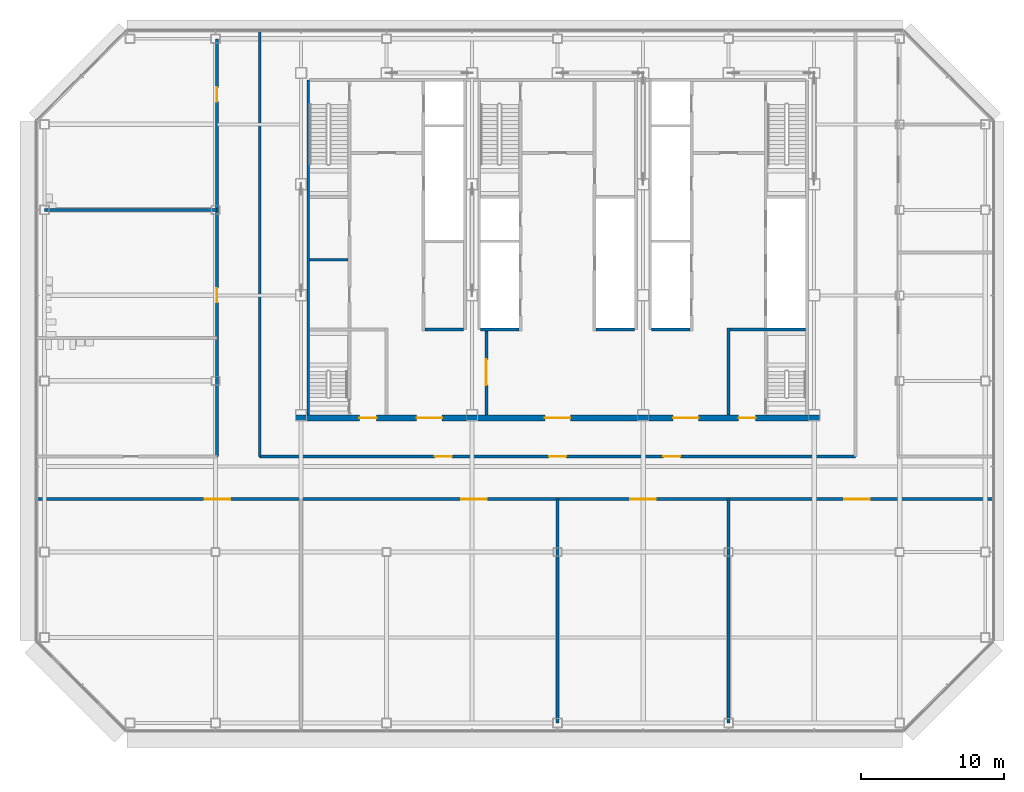
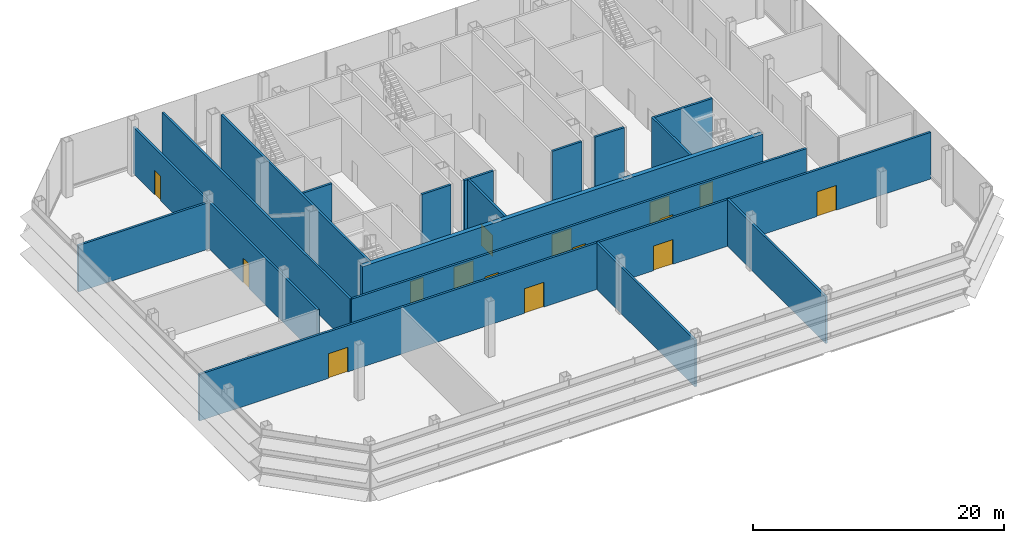
# One storey, part 18 of 25: 17 walls, 15 doors, 15 openings.
"""IFC4 building model written with IfcOpenShell, lengths in metres."""

from ifc_helpers import new_model, si_unit, direction, frame, frame_2d, origin, place, context, subcontext, project, spatial, rectangle, extrude, material, layer, layer_set, type_object, element, fill, save


model = new_model("IFC4")

# Units and contexts
model_context = context("Model", 3, precision=1e-05, world=origin(), true_north=direction((0.0, 1.0)))
body_context = subcontext(model_context, "Body", "Model", "MODEL_VIEW")
ifc_project = project(units=[si_unit("LENGTHUNIT", "METRE"), si_unit("AREAUNIT", "SQUARE_METRE"), si_unit("VOLUMEUNIT", "CUBIC_METRE"), si_unit("PLANEANGLEUNIT", "RADIAN"), si_unit("MASSUNIT", "GRAM", prefix="KILO")], contexts=[model_context])

# Site, building, storey
site_placement = place(None, origin())
site = spatial("IfcSite", under=ifc_project, at=site_placement, CompositionType="ELEMENT")
building_placement = place(site_placement, origin())
building = spatial("IfcBuilding", under=site, at=building_placement, Name="Sorahane Residences", CompositionType="ELEMENT")
storey_placement = place(building_placement, frame((0.0, 0.0, 210.0)))
storey = spatial("IfcBuildingStorey", under=building, at=storey_placement, Name="L49", CompositionType="ELEMENT", Elevation=210.0)

# Wall
ifc_material_1 = material(Name="Concrete C30", Category="concrete")
ifc_layer_1 = layer(ifc_material_1, 0.199951171875)
ifc_layer_set_1 = layer_set([ifc_layer_1], Name="Core face wall 200 EI 180")
wall_type_1 = type_object("IfcWallType", Name="Core face wall 200 EI 180", PredefinedType="SOLIDWALL", material=ifc_layer_set_1)
wall_1_placement = place(storey_placement, frame((6.5, 21.60009765625, 0.0), z_axis=(0.0, 0.0, 1.0), x_axis=(0.0, 1.0, 0.0)))
element("IfcWall", 1, at=wall_1_placement, inside=storey, type_object=wall_type_1, Name="L49 core face wall", PredefinedType="SOLIDWALL", context=body_context, shape_type="SweptSolid", body=[
    extrude(rectangle(XDim=23.5, YDim=0.199951171875, at=frame_2d((11.75, 0.0))), origin(), (0.0, 0.0, 1.0), 5.219970703125),
])

# Wall, openings, doors
ifc_material_2 = material(Name="Concrete blockwork C20 wall", Category="masonry")
ifc_layer_2 = layer(ifc_material_2, 0.199951171875)
ifc_layer_set_2 = layer_set([ifc_layer_2], Name="Corridor wall 200 EI 120")
wall_type_2 = type_object("IfcWallType", Name="Corridor wall 200 EI 120", PredefinedType="SOLIDWALL", material=ifc_layer_set_2)
wall_2_placement = place(storey_placement, frame((0.10009765625, 18.699951171875, 0.0), z_axis=(0.0, 0.0, 1.0), x_axis=(0.0, 1.0, 0.0)))
wall_2 = element("IfcWall", 2, at=wall_2_placement, inside=storey, type_object=wall_type_2, Name="L49 corridor wall", PredefinedType="SOLIDWALL", context=body_context, shape_type="SweptSolid", body=[
    extrude(rectangle(XDim=29.300048828125, YDim=0.199951171875, at=frame_2d((14.64990234375, 0.0))), origin(), (0.0, 0.0, 1.0), 4.52001953125),
])
opening_1_placement = place(wall_2_placement, frame((10.800048828125, 0.0, 0.0)))
opening_1 = element("IfcOpeningElement", 3, at=opening_1_placement, cuts=wall_2, Name="Opening L49-06", PredefinedType="OPENING", context=body_context, shape_type="SweptSolid", body=[
    extrude(rectangle(XDim=1.0, YDim=2.39990234375, at=frame_2d((0.5, 1.199951171875))), frame((0.0, 0.10986328125, 0.0), z_axis=(0.0, -1.0, 0.0), x_axis=(1.0, 0.0, 0.0)), (0.0, 0.0, 1.0), 0.219970703125),
])
opening_2_placement = place(wall_2_placement, frame((24.89990234375, 0.0, 0.0)))
opening_2 = element("IfcOpeningElement", 4, at=opening_2_placement, cuts=wall_2, Name="Opening L49-07", PredefinedType="OPENING", context=body_context, shape_type="SweptSolid", body=[
    extrude(rectangle(XDim=1.0, YDim=2.39990234375, at=frame_2d((0.5, 1.199951171875))), frame((0.0, 0.10986328125, 0.0), z_axis=(0.0, -1.0, 0.0), x_axis=(1.0, 0.0, 0.0)), (0.0, 0.0, 1.0), 0.219970703125),
])
ifc_material_3 = material(Name="Timber veneered fire door", Category="wood")
door_type_1 = type_object("IfcDoorType", Name="Room door 1000x2400 FD30", OperationType="NOTDEFINED", PredefinedType="DOOR", material=ifc_material_3)
door_1_placement = place(opening_1_placement, origin())
door_1 = element("IfcDoor", 5, at=door_1_placement, inside=storey, type_object=door_type_1, Name="Room door L49-06", OperationType="SINGLE_SWING_LEFT", OverallHeight=2.39990234375, OverallWidth=1.0, PredefinedType="DOOR", context=body_context, shape_type="SweptSolid", body=[
    extrude(rectangle(XDim=1.0, YDim=2.39990234375, at=frame_2d((0.5, 1.199951171875))), frame((0.0, 0.02490234375, 0.0), z_axis=(0.0, -1.0, 0.0), x_axis=(1.0, 0.0, 0.0)), (0.0, 0.0, 1.0), 0.050048828125),
])
fill(opening_1, door_1)
door_2_placement = place(opening_2_placement, origin())
door_2 = element("IfcDoor", 6, at=door_2_placement, inside=storey, type_object=door_type_1, Name="Room door L49-07", OperationType="SINGLE_SWING_RIGHT", OverallHeight=2.39990234375, OverallWidth=1.0, PredefinedType="DOOR", context=body_context, shape_type="SweptSolid", body=[
    extrude(rectangle(XDim=1.0, YDim=2.39990234375, at=frame_2d((0.5, 1.199951171875))), frame((0.0, 0.02490234375, 0.0), z_axis=(0.0, -1.0, 0.0), x_axis=(1.0, 0.0, 0.0)), (0.0, 0.0, 1.0), 0.050048828125),
])
fill(opening_2, door_2)

# Walls
wall_3_placement = place(storey_placement, frame((24.0, 0.0, 0.0), z_axis=(0.0, 0.0, 1.0), x_axis=(0.0, 1.0, 0.0)))
element("IfcWall", 7, at=wall_3_placement, inside=storey, type_object=wall_type_2, Name="L49 corridor wall", PredefinedType="SOLIDWALL", context=body_context, shape_type="SweptSolid", body=[
    extrude(rectangle(XDim=15.699951171875, YDim=0.199951171875, at=frame_2d((7.85009765625, 0.0))), origin(), (0.0, 0.0, 1.0), 4.52001953125),
])
wall_4_placement = place(storey_placement, frame((3.10009765625, 18.699951171875, 0.0), z_axis=(0.0, 0.0, 1.0), x_axis=(0.0, 1.0, 0.0)))
element("IfcWall", 8, at=wall_4_placement, inside=storey, type_object=wall_type_2, Name="L49 corridor wall", PredefinedType="SOLIDWALL", context=body_context, shape_type="SweptSolid", body=[
    extrude(rectangle(XDim=29.900146484375, YDim=0.199951171875, at=frame_2d((14.9501953125, 0.0))), origin(), (0.0, 0.0, 1.0), 4.52001953125),
])
wall_5_placement = place(storey_placement, frame((36.0, 0.0, 0.0), z_axis=(0.0, 0.0, 1.0), x_axis=(0.0, 1.0, 0.0)))
element("IfcWall", 9, at=wall_5_placement, inside=storey, type_object=wall_type_2, Name="L49 corridor wall", PredefinedType="SOLIDWALL", context=body_context, shape_type="SweptSolid", body=[
    extrude(rectangle(XDim=15.699951171875, YDim=0.199951171875, at=frame_2d((7.85009765625, 0.0))), origin(), (0.0, 0.0, 1.0), 4.52001953125),
])

# Wall, openings, doors
wall_6_placement = place(storey_placement, frame((-12.60009765625, 15.699951171875, 0.0), z_axis=(0.0, 0.0, 1.0), x_axis=(1.0, 0.0, 0.0)))
wall_6 = element("IfcWall", 10, at=wall_6_placement, inside=storey, type_object=wall_type_2, Name="L49 corridor wall", PredefinedType="SOLIDWALL", context=body_context, shape_type="SweptSolid", body=[
    extrude(rectangle(XDim=67.2001953125, YDim=0.199951171875, at=frame_2d((33.60009765625, 0.0))), origin(), (0.0, 0.0, 1.0), 4.52001953125),
])
opening_3_placement = place(wall_6_placement, frame((11.840087890625, 0.0, 0.0)))
opening_3 = element("IfcOpeningElement", 11, at=opening_3_placement, cuts=wall_6, Name="Opening L49-01", PredefinedType="OPENING", context=body_context, shape_type="SweptSolid", body=[
    extrude(rectangle(XDim=1.800048828125, YDim=2.39990234375, at=frame_2d((0.89990234375, 1.199951171875))), frame((0.0, 0.10986328125, 0.0), z_axis=(0.0, -1.0, 0.0), x_axis=(1.0, 0.0, 0.0)), (0.0, 0.0, 1.0), 0.219970703125),
])
opening_4_placement = place(wall_6_placement, frame((29.840087890625, 0.0, 0.0)))
opening_4 = element("IfcOpeningElement", 12, at=opening_4_placement, cuts=wall_6, Name="Opening L49-02", PredefinedType="OPENING", context=body_context, shape_type="SweptSolid", body=[
    extrude(rectangle(XDim=1.800048828125, YDim=2.39990234375, at=frame_2d((0.89990234375, 1.199951171875))), frame((0.0, 0.10986328125, 0.0), z_axis=(0.0, -1.0, 0.0), x_axis=(1.0, 0.0, 0.0)), (0.0, 0.0, 1.0), 0.219970703125),
])
opening_5_placement = place(wall_6_placement, frame((41.699951171875, 0.0, 0.0)))
opening_5 = element("IfcOpeningElement", 13, at=opening_5_placement, cuts=wall_6, Name="Opening L49-03", PredefinedType="OPENING", context=body_context, shape_type="SweptSolid", body=[
    extrude(rectangle(XDim=1.800048828125, YDim=2.39990234375, at=frame_2d((0.89990234375, 1.199951171875))), frame((0.0, 0.10986328125, 0.0), z_axis=(0.0, -1.0, 0.0), x_axis=(1.0, 0.0, 0.0)), (0.0, 0.0, 1.0), 0.219970703125),
])
opening_6_placement = place(wall_6_placement, frame((56.699951171875, 0.0, 0.0)))
opening_6 = element("IfcOpeningElement", 14, at=opening_6_placement, cuts=wall_6, Name="Opening L49-04", PredefinedType="OPENING", context=body_context, shape_type="SweptSolid", body=[
    extrude(rectangle(XDim=1.800048828125, YDim=2.39990234375, at=frame_2d((0.89990234375, 1.199951171875))), frame((0.0, 0.10986328125, 0.0), z_axis=(0.0, -1.0, 0.0), x_axis=(1.0, 0.0, 0.0)), (0.0, 0.0, 1.0), 0.219970703125),
])
ifc_material_4 = material(Name="Timber veneered fire door", Category="wood")
door_type_2 = type_object("IfcDoorType", Name="Double door 1800x2400 FD30", OperationType="NOTDEFINED", PredefinedType="DOOR", material=ifc_material_4)
door_3_placement = place(opening_3_placement, origin())
door_3 = element("IfcDoor", 15, at=door_3_placement, inside=storey, type_object=door_type_2, Name="Double door L49-01", OperationType="SINGLE_SWING_RIGHT", OverallHeight=2.39990234375, OverallWidth=1.800048828125, PredefinedType="DOOR", context=body_context, shape_type="SweptSolid", body=[
    extrude(rectangle(XDim=1.800048828125, YDim=2.39990234375, at=frame_2d((0.89990234375, 1.199951171875))), frame((0.0, 0.02490234375, 0.0), z_axis=(0.0, -1.0, 0.0), x_axis=(1.0, 0.0, 0.0)), (0.0, 0.0, 1.0), 0.050048828125),
])
fill(opening_3, door_3)
door_4_placement = place(opening_4_placement, origin())
door_4 = element("IfcDoor", 16, at=door_4_placement, inside=storey, type_object=door_type_2, Name="Double door L49-02", OperationType="SINGLE_SWING_LEFT", OverallHeight=2.39990234375, OverallWidth=1.800048828125, PredefinedType="DOOR", context=body_context, shape_type="SweptSolid", body=[
    extrude(rectangle(XDim=1.800048828125, YDim=2.39990234375, at=frame_2d((0.89990234375, 1.199951171875))), frame((0.0, 0.02490234375, 0.0), z_axis=(0.0, -1.0, 0.0), x_axis=(1.0, 0.0, 0.0)), (0.0, 0.0, 1.0), 0.050048828125),
])
fill(opening_4, door_4)
door_5_placement = place(opening_5_placement, origin())
door_5 = element("IfcDoor", 17, at=door_5_placement, inside=storey, type_object=door_type_2, Name="Double door L49-03", OperationType="SINGLE_SWING_RIGHT", OverallHeight=2.39990234375, OverallWidth=1.800048828125, PredefinedType="DOOR", context=body_context, shape_type="SweptSolid", body=[
    extrude(rectangle(XDim=1.800048828125, YDim=2.39990234375, at=frame_2d((0.89990234375, 1.199951171875))), frame((0.0, 0.02490234375, 0.0), z_axis=(0.0, -1.0, 0.0), x_axis=(1.0, 0.0, 0.0)), (0.0, 0.0, 1.0), 0.050048828125),
])
fill(opening_5, door_5)
door_6_placement = place(opening_6_placement, origin())
door_6 = element("IfcDoor", 18, at=door_6_placement, inside=storey, type_object=door_type_2, Name="Double door L49-04", OperationType="SINGLE_SWING_LEFT", OverallHeight=2.39990234375, OverallWidth=1.800048828125, PredefinedType="DOOR", context=body_context, shape_type="SweptSolid", body=[
    extrude(rectangle(XDim=1.800048828125, YDim=2.39990234375, at=frame_2d((0.89990234375, 1.199951171875))), frame((0.0, 0.02490234375, 0.0), z_axis=(0.0, -1.0, 0.0), x_axis=(1.0, 0.0, 0.0)), (0.0, 0.0, 1.0), 0.050048828125),
])
fill(opening_6, door_6)

wall_7_placement = place(storey_placement, frame((3.10009765625, 18.699951171875, 0.0), z_axis=(0.0, 0.0, 1.0), x_axis=(1.0, 0.0, 0.0)))
wall_7 = element("IfcWall", 19, at=wall_7_placement, inside=storey, type_object=wall_type_2, Name="L49 corridor wall", PredefinedType="SOLIDWALL", context=body_context, shape_type="SweptSolid", body=[
    extrude(rectangle(XDim=41.7998046875, YDim=0.199951171875, at=frame_2d((20.89990234375, 0.0))), origin(), (0.0, 0.0, 1.0), 4.52001953125),
])
opening_7_placement = place(wall_7_placement, frame((28.320068359375, 0.0, 0.0)))
opening_7 = element("IfcOpeningElement", 20, at=opening_7_placement, cuts=wall_7, Name="Opening L49-11", PredefinedType="OPENING", context=body_context, shape_type="SweptSolid", body=[
    extrude(rectangle(XDim=1.199951171875, YDim=2.39990234375, at=frame_2d((0.60009765625, 1.199951171875))), frame((0.0, 0.10986328125, 0.0), z_axis=(0.0, -1.0, 0.0), x_axis=(1.0, 0.0, 0.0)), (0.0, 0.0, 1.0), 0.219970703125),
])
opening_8_placement = place(wall_7_placement, frame((20.300048828125, 0.0, 0.0)))
opening_8 = element("IfcOpeningElement", 21, at=opening_8_placement, cuts=wall_7, Name="Opening L49-12", PredefinedType="OPENING", context=body_context, shape_type="SweptSolid", body=[
    extrude(rectangle(XDim=1.199951171875, YDim=2.39990234375, at=frame_2d((0.60009765625, 1.199951171875))), frame((0.0, 0.10986328125, 0.0), z_axis=(0.0, -1.0, 0.0), x_axis=(1.0, 0.0, 0.0)), (0.0, 0.0, 1.0), 0.219970703125),
])
opening_9_placement = place(wall_7_placement, frame((12.280029296875, 0.0, 0.0)))
opening_9 = element("IfcOpeningElement", 22, at=opening_9_placement, cuts=wall_7, Name="Opening L49-13", PredefinedType="OPENING", context=body_context, shape_type="SweptSolid", body=[
    extrude(rectangle(XDim=1.199951171875, YDim=2.39990234375, at=frame_2d((0.60009765625, 1.199951171875))), frame((0.0, 0.10986328125, 0.0), z_axis=(0.0, -1.0, 0.0), x_axis=(1.0, 0.0, 0.0)), (0.0, 0.0, 1.0), 0.219970703125),
])
ifc_material_5 = material(Name="Steel", Category="steel")
door_type_3 = type_object("IfcDoorType", Name="Lobby door 1200x2400 FD60", OperationType="NOTDEFINED", PredefinedType="DOOR", material=ifc_material_5)
door_7_placement = place(opening_7_placement, frame((1.199951171875, 0.0, 0.0), z_axis=(0.0, 0.0, 1.0), x_axis=(-1.0, 0.0, 0.0)))
door_7 = element("IfcDoor", 23, at=door_7_placement, inside=storey, type_object=door_type_3, Name="Lobby door L49-11", OperationType="SINGLE_SWING_LEFT", OverallHeight=2.39990234375, OverallWidth=1.199951171875, PredefinedType="DOOR", context=body_context, shape_type="SweptSolid", body=[
    extrude(rectangle(XDim=1.199951171875, YDim=2.39990234375, at=frame_2d((0.60009765625, 1.199951171875))), frame((0.0, 0.02490234375, 0.0), z_axis=(0.0, -1.0, 0.0), x_axis=(1.0, 0.0, 0.0)), (0.0, 0.0, 1.0), 0.050048828125),
])
fill(opening_7, door_7)
door_8_placement = place(opening_8_placement, frame((1.199951171875, 0.0, 0.0), z_axis=(0.0, 0.0, 1.0), x_axis=(-1.0, 0.0, 0.0)))
door_8 = element("IfcDoor", 24, at=door_8_placement, inside=storey, type_object=door_type_3, Name="Lobby door L49-12", OperationType="SINGLE_SWING_LEFT", OverallHeight=2.39990234375, OverallWidth=1.199951171875, PredefinedType="DOOR", context=body_context, shape_type="SweptSolid", body=[
    extrude(rectangle(XDim=1.199951171875, YDim=2.39990234375, at=frame_2d((0.60009765625, 1.199951171875))), frame((0.0, 0.02490234375, 0.0), z_axis=(0.0, -1.0, 0.0), x_axis=(1.0, 0.0, 0.0)), (0.0, 0.0, 1.0), 0.050048828125),
])
fill(opening_8, door_8)
door_9_placement = place(opening_9_placement, frame((1.199951171875, 0.0, 0.0), z_axis=(0.0, 0.0, 1.0), x_axis=(-1.0, 0.0, 0.0)))
door_9 = element("IfcDoor", 25, at=door_9_placement, inside=storey, type_object=door_type_3, Name="Lobby door L49-13", OperationType="SINGLE_SWING_LEFT", OverallHeight=2.39990234375, OverallWidth=1.199951171875, PredefinedType="DOOR", context=body_context, shape_type="SweptSolid", body=[
    extrude(rectangle(XDim=1.199951171875, YDim=2.39990234375, at=frame_2d((0.60009765625, 1.199951171875))), frame((0.0, 0.02490234375, 0.0), z_axis=(0.0, -1.0, 0.0), x_axis=(1.0, 0.0, 0.0)), (0.0, 0.0, 1.0), 0.050048828125),
])
fill(opening_9, door_9)

# Walls
wall_8_placement = place(storey_placement, frame((-12.0, 36.0, 0.0), z_axis=(0.0, 0.0, 1.0), x_axis=(1.0, 0.0, 0.0)))
element("IfcWall", 26, at=wall_8_placement, inside=storey, type_object=wall_type_2, Name="L49 corridor wall", PredefinedType="SOLIDWALL", context=body_context, shape_type="SweptSolid", body=[
    extrude(rectangle(XDim=12.10009765625, YDim=0.199951171875, at=frame_2d((6.050048828125, 0.0))), origin(), (0.0, 0.0, 1.0), 4.52001953125),
])
ifc_material_6 = material(Name="Concrete C30", Category="concrete")
ifc_layer_3 = layer(ifc_material_6, 0.199951171875)
ifc_layer_set_3 = layer_set([ifc_layer_3], Name="Front room wall 200 EI 120")
wall_type_3 = type_object("IfcWallType", Name="Front room wall 200 EI 120", PredefinedType="PARTITIONING", material=ifc_layer_set_3)
wall_9_placement = place(storey_placement, frame((36.0, 21.60009765625, 0.0), z_axis=(0.0, 0.0, 1.0), x_axis=(0.0, 1.0, 0.0)))
element("IfcWall", 27, at=wall_9_placement, inside=storey, type_object=wall_type_3, Name="L49 front room wall", PredefinedType="PARTITIONING", context=body_context, shape_type="SweptSolid", body=[
    extrude(rectangle(XDim=6.099853515625, YDim=0.199951171875, at=frame_2d((3.0498046875, 0.0))), origin(), (0.0, 0.0, 1.0), 5.219970703125),
])
ifc_material_7 = material(Name="Concrete C30", Category="concrete")
ifc_layer_4 = layer(ifc_material_7, 0.199951171875)
ifc_layer_set_4 = layer_set([ifc_layer_4], Name="Lift shaft wall 200 EI 120")
wall_type_4 = type_object("IfcWallType", Name="Lift shaft wall 200 EI 120", PredefinedType="SOLIDWALL", material=ifc_layer_set_4)
for number, where, z_axis, x_axis, name in (
    (28, (18.60009765625, 27.60009765625, 0.0), (0.0, 0.0, 1.0), (1.0, 0.0, 0.0), "L49 lift shaft wall"),
    (29, (30.60009765625, 27.60009765625, 0.0), (0.0, 0.0, 1.0), (1.0, 0.0, 0.0), "L49 lift shaft wall"),
):
    element("IfcWall", number, at=place(storey_placement, frame(where, z_axis=z_axis, x_axis=x_axis)), inside=storey, type_object=wall_type_4, Name=name, PredefinedType="SOLIDWALL", context=body_context, shape_type="SweptSolid", body=[
        extrude(rectangle(XDim=2.699951171875, YDim=0.199951171875, at=frame_2d((1.35009765625, 0.0))), origin(), (0.0, 0.0, 1.0), 5.219970703125),
    ])
ifc_material_8 = material(Name="Concrete C30", Category="concrete")
ifc_layer_5 = layer(ifc_material_8, 0.199951171875)
ifc_layer_set_5 = layer_set([ifc_layer_5], Name="Riser shaft wall 200 EI 120")
wall_type_5 = type_object("IfcWallType", Name="Riser shaft wall 200 EI 120", PredefinedType="SOLIDWALL", material=ifc_layer_set_5)
wall_10_placement = place(storey_placement, frame((26.699951171875, 27.60009765625, 0.0), z_axis=(0.0, 0.0, 1.0), x_axis=(1.0, 0.0, 0.0)))
element("IfcWall", 30, at=wall_10_placement, inside=storey, type_object=wall_type_5, Name="L49 riser wall", PredefinedType="SOLIDWALL", context=body_context, shape_type="SweptSolid", body=[
    extrude(rectangle(XDim=2.699951171875, YDim=0.199951171875, at=frame_2d((1.35009765625, 0.0))), origin(), (0.0, 0.0, 1.0), 5.219970703125),
])

# Wall, opening, door
ifc_material_9 = material(Name="Concrete C30", Category="concrete")
ifc_layer_6 = layer(ifc_material_9, 0.199951171875)
ifc_layer_set_6 = layer_set([ifc_layer_6], Name="Service room partition 200 EI 60")
wall_type_6 = type_object("IfcWallType", Name="Service room partition 200 EI 60", PredefinedType="PARTITIONING", material=ifc_layer_set_6)
wall_11_placement = place(storey_placement, frame((19.0, 21.60009765625, 0.0), z_axis=(0.0, 0.0, 1.0), x_axis=(0.0, 1.0, 0.0)))
wall_11 = element("IfcWall", 31, at=wall_11_placement, inside=storey, type_object=wall_type_6, Name="L49 service room wall", PredefinedType="PARTITIONING", context=body_context, shape_type="SweptSolid", body=[
    extrude(rectangle(XDim=6.0, YDim=0.199951171875, at=frame_2d((3.0, 0.0))), origin(), (0.0, 0.0, 1.0), 5.219970703125),
])
opening_10_placement = place(wall_11_placement, frame((2.10009765625, 0.0, 0.0)))
opening_10 = element("IfcOpeningElement", 32, at=opening_10_placement, cuts=wall_11, Name="Opening L49-C02", PredefinedType="OPENING", context=body_context, shape_type="SweptSolid", body=[
    extrude(rectangle(XDim=1.800048828125, YDim=2.10009765625, at=frame_2d((0.89990234375, 1.050048828125))), frame((0.0, 0.10986328125, 0.0), z_axis=(0.0, -1.0, 0.0), x_axis=(1.0, 0.0, 0.0)), (0.0, 0.0, 1.0), 0.219970703125),
])
ifc_material_10 = material(Name="Steel", Category="steel")
door_type_4 = type_object("IfcDoorType", Name="Waiting hall door 1800x2100 FD60", OperationType="NOTDEFINED", PredefinedType="DOOR", material=ifc_material_10)
door_10_placement = place(opening_10_placement, origin())
door_10 = element("IfcDoor", 33, at=door_10_placement, inside=storey, type_object=door_type_4, Name="Waiting hall door Residents' waiting hall west L49", OperationType="SINGLE_SWING_LEFT", OverallHeight=2.10009765625, OverallWidth=1.800048828125, PredefinedType="DOOR", context=body_context, shape_type="SweptSolid", body=[
    extrude(rectangle(XDim=1.800048828125, YDim=2.10009765625, at=frame_2d((0.89990234375, 1.050048828125))), frame((0.0, 0.02490234375, 0.0), z_axis=(0.0, -1.0, 0.0), x_axis=(1.0, 0.0, 0.0)), (0.0, 0.0, 1.0), 0.050048828125),
])
fill(opening_10, door_10)

# Walls
for number, where, z_axis, x_axis, name in (
    (34, (14.699951171875, 27.60009765625, 0.0), (0.0, 0.0, 1.0), (1.0, 0.0, 0.0), "L49 service room wall"),
    (35, (6.60009765625, 32.5, 0.0), (0.0, 0.0, 1.0), (1.0, 0.0, 0.0), "L49 service room wall"),
):
    element("IfcWall", number, at=place(storey_placement, frame(where, z_axis=z_axis, x_axis=x_axis)), inside=storey, type_object=wall_type_6, Name=name, PredefinedType="PARTITIONING", context=body_context, shape_type="SweptSolid", body=[
        extrude(rectangle(XDim=2.699951171875, YDim=0.199951171875, at=frame_2d((1.35009765625, 0.0))), origin(), (0.0, 0.0, 1.0), 5.219970703125),
    ])
ifc_material_11 = material(Name="Concrete C30", Category="concrete")
ifc_layer_7 = layer(ifc_material_11, 0.199951171875)
ifc_layer_set_7 = layer_set([ifc_layer_7], Name="Stair enclosure wall 200 EI 120")
wall_type_7 = type_object("IfcWallType", Name="Stair enclosure wall 200 EI 120", PredefinedType="SOLIDWALL", material=ifc_layer_set_7)
wall_12_placement = place(storey_placement, frame((36.10009765625, 27.60009765625, 0.0), z_axis=(0.0, 0.0, 1.0), x_axis=(1.0, 0.0, 0.0)))
element("IfcWall", 36, at=wall_12_placement, inside=storey, type_object=wall_type_7, Name="L49 stair enclosure wall", PredefinedType="SOLIDWALL", context=body_context, shape_type="SweptSolid", body=[
    extrude(rectangle(XDim=5.2998046875, YDim=0.199951171875, at=frame_2d((2.64990234375, 0.0))), origin(), (0.0, 0.0, 1.0), 5.219970703125),
])

# Wall, openings, doors
ifc_material_12 = material(Name="Concrete C30", Category="concrete")
ifc_layer_8 = layer(ifc_material_12, 0.39990234375)
ifc_layer_set_8 = layer_set([ifc_layer_8], Name="Waiting hall wall 400 EI 120")
wall_type_8 = type_object("IfcWallType", Name="Waiting hall wall 400 EI 120", PredefinedType="SOLIDWALL", material=ifc_layer_set_8)
wall_13_placement = place(storey_placement, frame((5.60009765625, 21.39990234375, 0.0), z_axis=(0.0, 0.0, 1.0), x_axis=(1.0, 0.0, 0.0)))
wall_13 = element("IfcWall", 37, at=wall_13_placement, inside=storey, type_object=wall_type_8, Name="L49 waiting hall wall", PredefinedType="SOLIDWALL", context=body_context, shape_type="SweptSolid", body=[
    extrude(rectangle(XDim=36.7998046875, YDim=0.39990234375, at=frame_2d((18.39990234375, 0.0))), origin(), (0.0, 0.0, 1.0), 5.219970703125),
])
opening_11_placement = place(wall_13_placement, frame((8.5, 0.0, 0.0)))
opening_11 = element("IfcOpeningElement", 38, at=opening_11_placement, cuts=wall_13, Name="Opening L49-C01", PredefinedType="OPENING", context=body_context, shape_type="SweptSolid", body=[
    extrude(rectangle(XDim=1.800048828125, YDim=2.10009765625, at=frame_2d((0.89990234375, 1.050048828125))), frame((0.0, 0.2099609375, 0.0), z_axis=(0.0, -1.0, 0.0), x_axis=(1.0, 0.0, 0.0)), (0.0, 0.0, 1.0), 0.419921875),
])
opening_12_placement = place(wall_13_placement, frame((17.5, 0.0, 0.0)))
opening_12 = element("IfcOpeningElement", 39, at=opening_12_placement, cuts=wall_13, Name="Opening L49-C03", PredefinedType="OPENING", context=body_context, shape_type="SweptSolid", body=[
    extrude(rectangle(XDim=1.800048828125, YDim=2.10009765625, at=frame_2d((0.89990234375, 1.050048828125))), frame((0.0, 0.2099609375, 0.0), z_axis=(0.0, -1.0, 0.0), x_axis=(1.0, 0.0, 0.0)), (0.0, 0.0, 1.0), 0.419921875),
])
opening_13_placement = place(wall_13_placement, frame((26.5, 0.0, 0.0)))
opening_13 = element("IfcOpeningElement", 40, at=opening_13_placement, cuts=wall_13, Name="Opening L49-C04", PredefinedType="OPENING", context=body_context, shape_type="SweptSolid", body=[
    extrude(rectangle(XDim=1.800048828125, YDim=2.10009765625, at=frame_2d((0.89990234375, 1.050048828125))), frame((0.0, 0.2099609375, 0.0), z_axis=(0.0, -1.0, 0.0), x_axis=(1.0, 0.0, 0.0)), (0.0, 0.0, 1.0), 0.419921875),
])
opening_14_placement = place(wall_13_placement, frame((4.5, 0.0, 0.0)))
opening_14 = element("IfcOpeningElement", 41, at=opening_14_placement, cuts=wall_13, Name="Opening L49-C05", PredefinedType="OPENING", context=body_context, shape_type="SweptSolid", body=[
    extrude(rectangle(XDim=1.199951171875, YDim=2.10009765625, at=frame_2d((0.60009765625, 1.050048828125))), frame((0.0, 0.2099609375, 0.0), z_axis=(0.0, -1.0, 0.0), x_axis=(1.0, 0.0, 0.0)), (0.0, 0.0, 1.0), 0.419921875),
])
opening_15_placement = place(wall_13_placement, frame((31.10009765625, 0.0, 0.0)))
opening_15 = element("IfcOpeningElement", 42, at=opening_15_placement, cuts=wall_13, Name="Opening L49-C06", PredefinedType="OPENING", context=body_context, shape_type="SweptSolid", body=[
    extrude(rectangle(XDim=1.199951171875, YDim=2.10009765625, at=frame_2d((0.60009765625, 1.050048828125))), frame((0.0, 0.2099609375, 0.0), z_axis=(0.0, -1.0, 0.0), x_axis=(1.0, 0.0, 0.0)), (0.0, 0.0, 1.0), 0.419921875),
])
ifc_material_13 = material(Name="Steel", Category="steel")
door_type_5 = type_object("IfcDoorType", Name="Stair front room door 1200x2100 FD120", OperationType="NOTDEFINED", PredefinedType="DOOR", material=ifc_material_13)
door_11_placement = place(opening_14_placement, frame((1.199951171875, 0.0, 0.0), z_axis=(0.0, 0.0, 1.0), x_axis=(-1.0, 0.0, 0.0)))
door_11 = element("IfcDoor", 43, at=door_11_placement, inside=storey, type_object=door_type_5, Name="Stair front room door Stair S4 front room L49", OperationType="SINGLE_SWING_LEFT", OverallHeight=2.10009765625, OverallWidth=1.199951171875, PredefinedType="DOOR", context=body_context, shape_type="SweptSolid", body=[
    extrude(rectangle(XDim=1.199951171875, YDim=2.10009765625, at=frame_2d((0.60009765625, 1.050048828125))), frame((0.0, 0.02490234375, 0.0), z_axis=(0.0, -1.0, 0.0), x_axis=(1.0, 0.0, 0.0)), (0.0, 0.0, 1.0), 0.050048828125),
])
fill(opening_14, door_11)
door_12_placement = place(opening_15_placement, frame((1.199951171875, 0.0, 0.0), z_axis=(0.0, 0.0, 1.0), x_axis=(-1.0, 0.0, 0.0)))
door_12 = element("IfcDoor", 44, at=door_12_placement, inside=storey, type_object=door_type_5, Name="Stair front room door Stair S5 front room L49", OperationType="SINGLE_SWING_LEFT", OverallHeight=2.10009765625, OverallWidth=1.199951171875, PredefinedType="DOOR", context=body_context, shape_type="SweptSolid", body=[
    extrude(rectangle(XDim=1.199951171875, YDim=2.10009765625, at=frame_2d((0.60009765625, 1.050048828125))), frame((0.0, 0.02490234375, 0.0), z_axis=(0.0, -1.0, 0.0), x_axis=(1.0, 0.0, 0.0)), (0.0, 0.0, 1.0), 0.050048828125),
])
fill(opening_15, door_12)
door_13_placement = place(opening_11_placement, frame((1.800048828125, 0.0, 0.0), z_axis=(0.0, 0.0, 1.0), x_axis=(-1.0, 0.0, 0.0)))
door_13 = element("IfcDoor", 45, at=door_13_placement, inside=storey, type_object=door_type_4, Name="Waiting hall door Residents' waiting hall west L49", OperationType="SINGLE_SWING_LEFT", OverallHeight=2.10009765625, OverallWidth=1.800048828125, PredefinedType="DOOR", context=body_context, shape_type="SweptSolid", body=[
    extrude(rectangle(XDim=1.800048828125, YDim=2.10009765625, at=frame_2d((0.89990234375, 1.050048828125))), frame((0.0, 0.02490234375, 0.0), z_axis=(0.0, -1.0, 0.0), x_axis=(1.0, 0.0, 0.0)), (0.0, 0.0, 1.0), 0.050048828125),
])
fill(opening_11, door_13)
door_14_placement = place(opening_12_placement, frame((1.800048828125, 0.0, 0.0), z_axis=(0.0, 0.0, 1.0), x_axis=(-1.0, 0.0, 0.0)))
door_14 = element("IfcDoor", 46, at=door_14_placement, inside=storey, type_object=door_type_4, Name="Waiting hall door Residents' waiting hall east L49", OperationType="SINGLE_SWING_LEFT", OverallHeight=2.10009765625, OverallWidth=1.800048828125, PredefinedType="DOOR", context=body_context, shape_type="SweptSolid", body=[
    extrude(rectangle(XDim=1.800048828125, YDim=2.10009765625, at=frame_2d((0.89990234375, 1.050048828125))), frame((0.0, 0.02490234375, 0.0), z_axis=(0.0, -1.0, 0.0), x_axis=(1.0, 0.0, 0.0)), (0.0, 0.0, 1.0), 0.050048828125),
])
fill(opening_12, door_14)
door_15_placement = place(opening_13_placement, frame((1.800048828125, 0.0, 0.0), z_axis=(0.0, 0.0, 1.0), x_axis=(-1.0, 0.0, 0.0)))
door_15 = element("IfcDoor", 47, at=door_15_placement, inside=storey, type_object=door_type_4, Name="Waiting hall door Residents' waiting hall east L49", OperationType="SINGLE_SWING_LEFT", OverallHeight=2.10009765625, OverallWidth=1.800048828125, PredefinedType="DOOR", context=body_context, shape_type="SweptSolid", body=[
    extrude(rectangle(XDim=1.800048828125, YDim=2.10009765625, at=frame_2d((0.89990234375, 1.050048828125))), frame((0.0, 0.02490234375, 0.0), z_axis=(0.0, -1.0, 0.0), x_axis=(1.0, 0.0, 0.0)), (0.0, 0.0, 1.0), 0.050048828125),
])
fill(opening_13, door_15)

save(model, "model.ifc")
